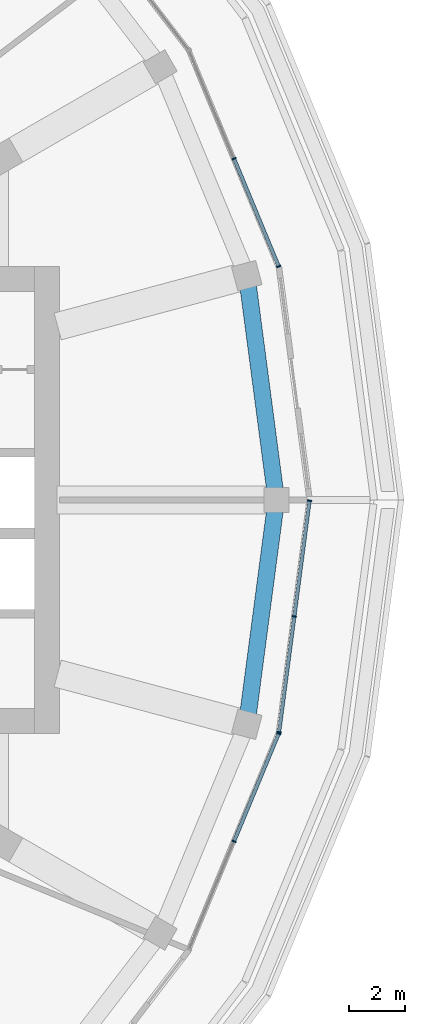
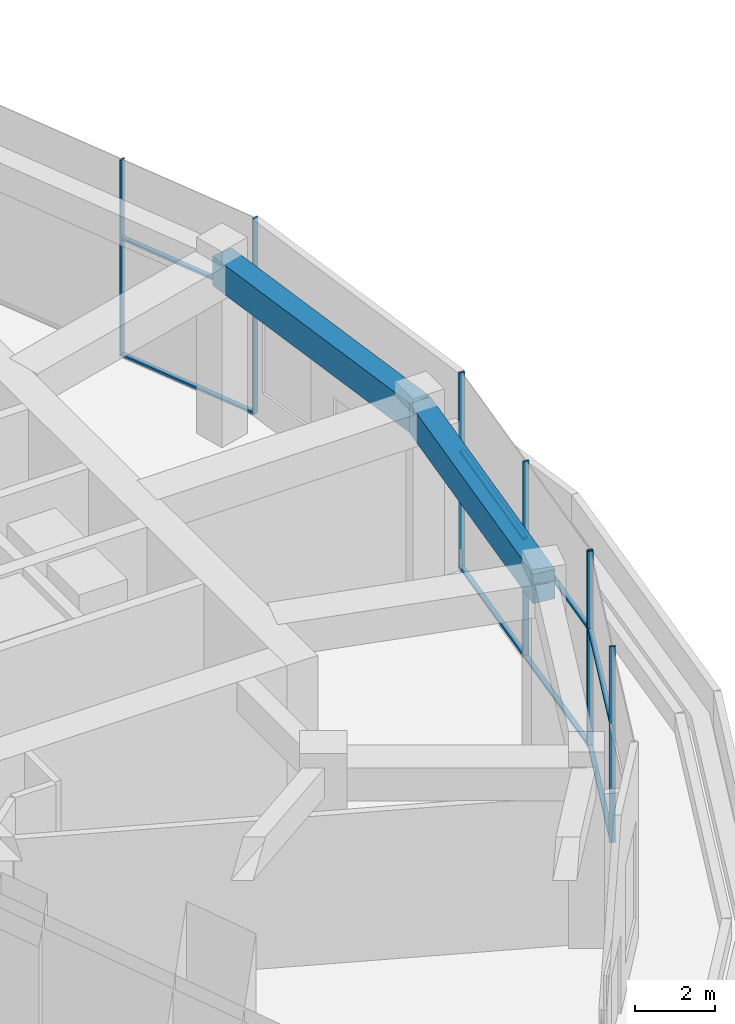
# One storey, part 11 of 23: 15 members, 2 beams, 3 elements without a shape of their own.
"""IFC4 building model written with IfcOpenShell, lengths in metres."""

from ifc_helpers import new_model, si_unit, direction, frame, origin, origin_2d, place, context, subcontext, project, spatial, rectangle, extrude, material, layer, layer_set, material_profile, profile_set, type_object, element, aggregate, save


model = new_model("IFC4")

# Units and contexts
model_context = context("Model", 3, precision=1e-05, world=origin(), true_north=direction((0.0, 1.0)))
body_context = subcontext(model_context, "Body", "Model", "MODEL_VIEW")
ifc_project = project(units=[si_unit("LENGTHUNIT", "METRE"), si_unit("AREAUNIT", "SQUARE_METRE"), si_unit("VOLUMEUNIT", "CUBIC_METRE"), si_unit("PLANEANGLEUNIT", "RADIAN"), si_unit("MASSUNIT", "GRAM", prefix="KILO")], contexts=[model_context])

# Site, building, storey
site_placement = place(None, origin())
site = spatial("IfcSite", under=ifc_project, at=site_placement, CompositionType="ELEMENT")
building_placement = place(site_placement, origin())
building = spatial("IfcBuilding", under=site, at=building_placement, Name="Torre Brocal", CompositionType="ELEMENT")
storey_placement = place(building_placement, frame((0.0, 0.0, 17.800048828125)))
storey = spatial("IfcBuildingStorey", under=building, at=storey_placement, Name="L03", CompositionType="ELEMENT", Elevation=17.800048828125)

# Curtain wall, members
ifc_material_1 = material(Name="Aluminium and glass", Category="aluminium")
ifc_layer = layer(ifc_material_1, 0.199951171875)
ifc_layer_set = layer_set([ifc_layer], Name="Aluminium and glass")
curtain_wall_type = type_object("IfcCurtainWallType", Name="CW-6 CURTAIN WALL 6000 HIGH", PredefinedType="NOTDEFINED", material=ifc_layer_set)
curtain_wall_1_placement = place(storey_placement, origin())
curtain_wall_1 = element("IfcCurtainWall", 1, at=curtain_wall_1_placement, inside=storey, type_object=curtain_wall_type, Name="CW-6 RUN 2", PredefinedType="NOTDEFINED")
ifc_material_2 = material(Name="Aluminium, dark anodised", Category="aluminium")
ifc_material_profile_1 = material_profile(ifc_material_2, rectangle(XDim=0.159912109375, YDim=0.050048828125, at=origin_2d()), Name="CW-6 MULLION 50X160")
ifc_profile_set_1 = profile_set([ifc_material_profile_1], Name="Aluminium, dark anodised")
member_type_1 = type_object("IfcMemberType", Name="CW-6 MULLION 50X160", PredefinedType="MULLION", material=ifc_profile_set_1)
member_1_placement = place(storey_placement, frame((111.28564453125, 83.40869140625, 0.0), z_axis=(0.0, 0.0, 1.0), x_axis=(-0.923879532538, -0.382683432301, 0.0)))
member_1 = element("IfcMember", 2, at=member_1_placement, type_object=member_type_1, Name="CW6-2 mullion 1", PredefinedType="MULLION", context=body_context, shape_type="SweptSolid", body=[
    extrude(rectangle(XDim=0.159912109375, YDim=0.050048828125, at=origin_2d()), origin(), (0.0, 0.0, 1.0), 6.0),
])
member_2_placement = place(storey_placement, frame((109.6767578125, 87.29248046875, 0.0), z_axis=(0.0, 0.0, 1.0), x_axis=(-0.923879532538, -0.382683432301, 0.0)))
member_2 = element("IfcMember", 3, at=member_2_placement, type_object=member_type_1, Name="CW6-2 mullion 2", PredefinedType="MULLION", context=body_context, shape_type="SweptSolid", body=[
    extrude(rectangle(XDim=0.159912109375, YDim=0.050048828125, at=origin_2d()), origin(), (0.0, 0.0, 1.0), 6.0),
])

curtain_wall_2_placement = place(storey_placement, origin())
curtain_wall_2 = element("IfcCurtainWall", 4, at=curtain_wall_2_placement, inside=storey, type_object=curtain_wall_type, Name="CW-6 RUN 23", PredefinedType="NOTDEFINED")
member_3_placement = place(storey_placement, frame((109.6767578125, 62.70751953125, 0.0), z_axis=(0.0, 0.0, 1.0), x_axis=(-0.923879532538, 0.382683432301, 0.0)))
member_3 = element("IfcMember", 5, at=member_3_placement, type_object=member_type_1, Name="CW6-2 mullion 2", PredefinedType="MULLION", context=body_context, shape_type="SweptSolid", body=[
    extrude(rectangle(XDim=0.159912109375, YDim=0.050048828125, at=origin_2d()), origin(), (0.0, 0.0, 1.0), 6.0),
])
member_4_placement = place(storey_placement, frame((111.28564453125, 66.59130859375, 0.0), z_axis=(0.0, 0.0, 1.0), x_axis=(-0.923879532538, 0.382683432301, 0.0)))
member_4 = element("IfcMember", 6, at=member_4_placement, type_object=member_type_1, Name="CW6-2 mullion 3", PredefinedType="MULLION", context=body_context, shape_type="SweptSolid", body=[
    extrude(rectangle(XDim=0.159912109375, YDim=0.050048828125, at=origin_2d()), origin(), (0.0, 0.0, 1.0), 6.0),
])

curtain_wall_3_placement = place(storey_placement, origin())
curtain_wall_3 = element("IfcCurtainWall", 7, at=curtain_wall_3_placement, inside=storey, type_object=curtain_wall_type, Name="CW-6 RUN 24", PredefinedType="NOTDEFINED")
member_5_placement = place(storey_placement, frame((111.29833984375, 66.63916015625, 0.0), z_axis=(0.0, 0.0, 1.0), x_axis=(-0.991444861369, 0.130526192255, 0.0)))
member_5 = element("IfcMember", 8, at=member_5_placement, type_object=member_type_1, Name="CW6-2 mullion 1", PredefinedType="MULLION", context=body_context, shape_type="SweptSolid", body=[
    extrude(rectangle(XDim=0.159912109375, YDim=0.050048828125, at=origin_2d()), origin(), (0.0, 0.0, 1.0), 6.0),
])
member_6_placement = place(storey_placement, frame((111.84716796875, 70.80712890625, 0.0), z_axis=(0.0, 0.0, 1.0), x_axis=(-0.991444861369, 0.130526192255, 0.0)))
member_6 = element("IfcMember", 9, at=member_6_placement, type_object=member_type_1, Name="CW6-2 mullion 2", PredefinedType="MULLION", context=body_context, shape_type="SweptSolid", body=[
    extrude(rectangle(XDim=0.159912109375, YDim=0.050048828125, at=origin_2d()), origin(), (0.0, 0.0, 1.0), 6.0),
])
member_7_placement = place(storey_placement, frame((112.395751953125, 74.97509765625, 0.0), z_axis=(0.0, 0.0, 1.0), x_axis=(-0.991444861369, 0.130526192255, 0.0)))
member_7 = element("IfcMember", 10, at=member_7_placement, type_object=member_type_1, Name="CW6-2 mullion 3", PredefinedType="MULLION", context=body_context, shape_type="SweptSolid", body=[
    extrude(rectangle(XDim=0.159912109375, YDim=0.050048828125, at=origin_2d()), origin(), (0.0, 0.0, 1.0), 6.0),
])

# Member
ifc_material_3 = material(Name="Aluminium, dark anodised", Category="aluminium")
ifc_material_profile_2 = material_profile(ifc_material_3, rectangle(XDim=0.1298828125, YDim=0.070068359375, at=origin_2d()), Name="CW-6 TRANSOM 130X70")
ifc_profile_set_2 = profile_set([ifc_material_profile_2], Name="Aluminium, dark anodised")
member_type_2 = type_object("IfcMemberType", Name="CW-6 TRANSOM 130X70", PredefinedType="USERDEFINED", material=ifc_profile_set_2)
member_8_placement = place(storey_placement, frame((111.276123046875, 83.431640625, 0.034912109375), z_axis=(-0.38271166419, 0.923867838001, 0.0), x_axis=(-0.923867838001, -0.38271166419, 0.0)))
member_8 = element("IfcMember", 11, at=member_8_placement, type_object=member_type_2, Name="CW6-2 transom 1.1", ObjectType="TRANSOM", PredefinedType="USERDEFINED", context=body_context, shape_type="SweptSolid", body=[
    extrude(rectangle(XDim=0.1298828125, YDim=0.070068359375, at=origin_2d()), origin(), (0.0, 0.0, 1.0), 4.154052734375),
])

member_9_placement = place(storey_placement, frame((111.276123046875, 83.431640625, 3.599853515625), z_axis=(-0.38271166419, 0.923867838001, 0.0), x_axis=(-0.923867838001, -0.38271166419, 0.0)))
member_9 = element("IfcMember", 12, at=member_9_placement, type_object=member_type_2, Name="CW6-2 transom 1.2", ObjectType="TRANSOM", PredefinedType="USERDEFINED", context=body_context, shape_type="SweptSolid", body=[
    extrude(rectangle(XDim=0.1298828125, YDim=0.070068359375, at=origin_2d()), origin(), (0.0, 0.0, 1.0), 4.154052734375),
])

aggregate(curtain_wall_1, [member_1, member_2, member_8, member_9])

member_10_placement = place(storey_placement, frame((109.686279296875, 62.73046875, 0.034912109375), z_axis=(0.38271166419, 0.923867838001, 0.0), x_axis=(-0.923867838001, 0.38271166419, 0.0)))
member_10 = element("IfcMember", 13, at=member_10_placement, type_object=member_type_2, Name="CW6-2 transom 2.1", ObjectType="TRANSOM", PredefinedType="USERDEFINED", context=body_context, shape_type="SweptSolid", body=[
    extrude(rectangle(XDim=0.1298828125, YDim=0.070068359375, at=origin_2d()), origin(), (0.0, 0.0, 1.0), 4.154052734375),
])

member_11_placement = place(storey_placement, frame((109.686279296875, 62.73046875, 3.599853515625), z_axis=(0.38271166419, 0.923867838001, 0.0), x_axis=(-0.923867838001, 0.38271166419, 0.0)))
member_11 = element("IfcMember", 14, at=member_11_placement, type_object=member_type_2, Name="CW6-2 transom 2.2", ObjectType="TRANSOM", PredefinedType="USERDEFINED", context=body_context, shape_type="SweptSolid", body=[
    extrude(rectangle(XDim=0.1298828125, YDim=0.070068359375, at=origin_2d()), origin(), (0.0, 0.0, 1.0), 4.154052734375),
])

aggregate(curtain_wall_2, [member_3, member_4, member_10, member_11])

member_12_placement = place(storey_placement, frame((111.3017578125, 66.6640625, 0.034912109375), z_axis=(0.130535090122, 0.991443689902, 0.0), x_axis=(-0.991443689902, 0.130535090122, 0.0)))
member_12 = element("IfcMember", 15, at=member_12_placement, type_object=member_type_2, Name="CW6-2 transom 1.1", ObjectType="TRANSOM", PredefinedType="USERDEFINED", context=body_context, shape_type="SweptSolid", body=[
    extrude(rectangle(XDim=0.1298828125, YDim=0.070068359375, at=origin_2d()), origin(), (0.0, 0.0, 1.0), 4.154052734375),
])

member_13_placement = place(storey_placement, frame((111.3017578125, 66.6640625, 3.599853515625), z_axis=(0.130535090122, 0.991443689902, 0.0), x_axis=(-0.991443689902, 0.130535090122, 0.0)))
member_13 = element("IfcMember", 16, at=member_13_placement, type_object=member_type_2, Name="CW6-2 transom 1.2", ObjectType="TRANSOM", PredefinedType="USERDEFINED", context=body_context, shape_type="SweptSolid", body=[
    extrude(rectangle(XDim=0.1298828125, YDim=0.070068359375, at=origin_2d()), origin(), (0.0, 0.0, 1.0), 4.154052734375),
])

member_14_placement = place(storey_placement, frame((111.850341796875, 70.83203125, 0.034912109375), z_axis=(0.130535090122, 0.991443689902, 0.0), x_axis=(-0.991443689902, 0.130535090122, 0.0)))
member_14 = element("IfcMember", 17, at=member_14_placement, type_object=member_type_2, Name="CW6-2 transom 2.1", ObjectType="TRANSOM", PredefinedType="USERDEFINED", context=body_context, shape_type="SweptSolid", body=[
    extrude(rectangle(XDim=0.1298828125, YDim=0.070068359375, at=origin_2d()), origin(), (0.0, 0.0, 1.0), 4.154052734375),
])

member_15_placement = place(storey_placement, frame((111.850341796875, 70.83203125, 3.599853515625), z_axis=(0.130535090122, 0.991443689902, 0.0), x_axis=(-0.991443689902, 0.130535090122, 0.0)))
member_15 = element("IfcMember", 18, at=member_15_placement, type_object=member_type_2, Name="CW6-2 transom 2.2", ObjectType="TRANSOM", PredefinedType="USERDEFINED", context=body_context, shape_type="SweptSolid", body=[
    extrude(rectangle(XDim=0.1298828125, YDim=0.070068359375, at=origin_2d()), origin(), (0.0, 0.0, 1.0), 4.154052734375),
])

aggregate(curtain_wall_3, [member_5, member_6, member_7, member_12, member_13, member_14, member_15])

# Beams
ifc_material_4 = material(Name="Concrete C50", Category="concrete")
ifc_material_profile_3 = material_profile(ifc_material_4, rectangle(XDim=0.60009765625, YDim=0.89990234375, at=origin_2d()), Name="RC 600X900")
ifc_profile_set_3 = profile_set([ifc_material_profile_3], Name="Concrete C50")
beam_type = type_object("IfcBeamType", Name="RC BEAM 600X900 C50 TOP 5550", PredefinedType="BEAM", material=ifc_profile_set_3)
for number, where, z_axis, x_axis, name in (
    (19, (111.199951171875, 75.0, 5.099853515625), (-0.130510340201, 0.991446948203, 0.0), (-0.991446948203, -0.130510340201, 0.0), "Beam BT-13"),
    (20, (110.136962890625, 66.9248046875, 5.099853515625), (0.130510340201, 0.991446948203, 0.0), (-0.991446948203, 0.130510340201, 0.0), "Beam BT-13"),
):
    element("IfcBeam", number, at=place(storey_placement, frame(where, z_axis=z_axis, x_axis=x_axis)), inside=storey, type_object=beam_type, Name=name, PredefinedType="BEAM", context=body_context, shape_type="SweptSolid", body=[
        extrude(rectangle(XDim=0.60009765625, YDim=0.89990234375, at=origin_2d()), origin(), (0.0, 0.0, 1.0), 8.144775390625),
    ])

save(model, "model.ifc")
